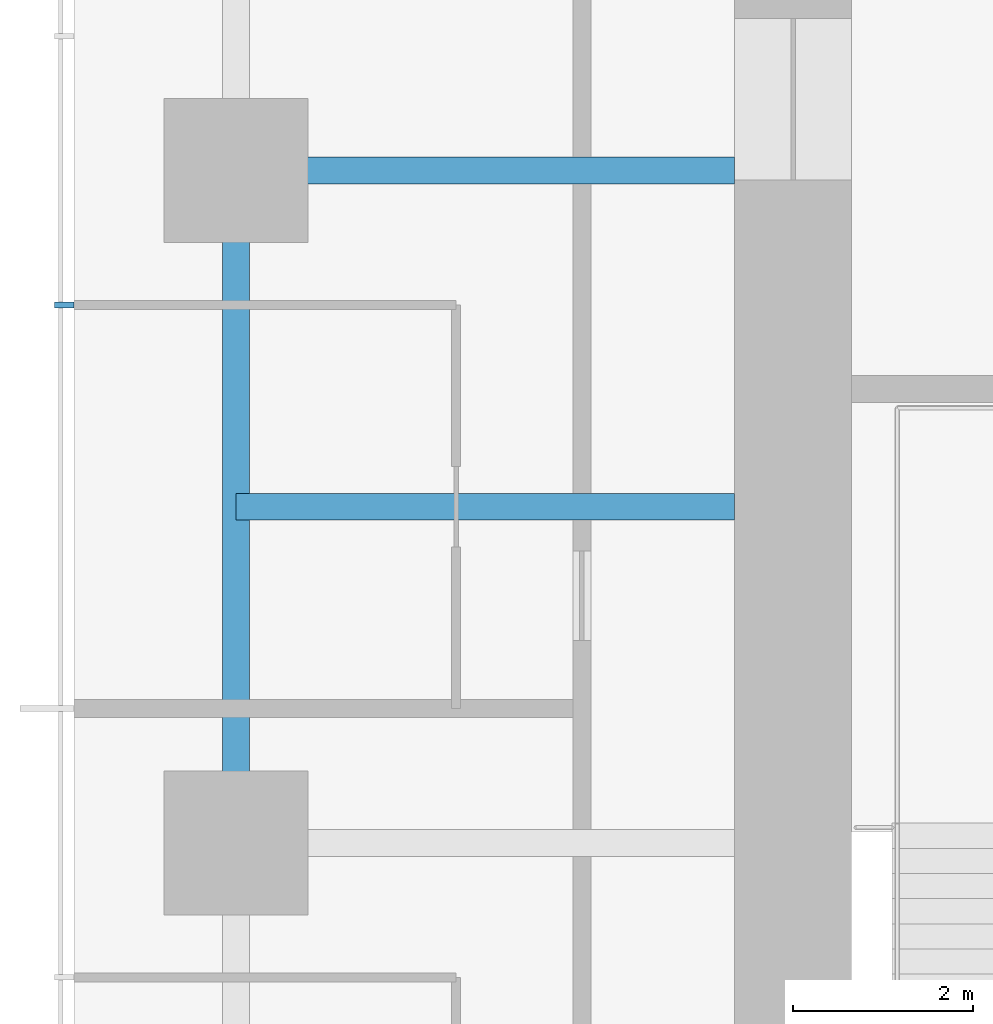
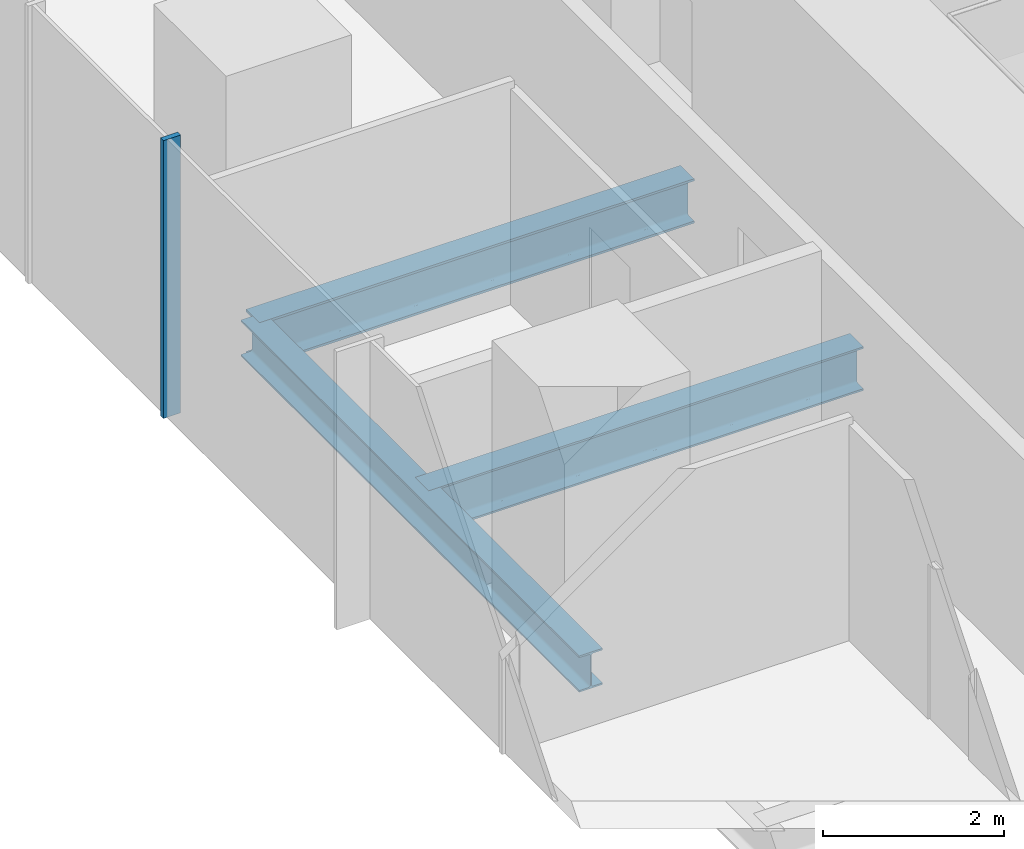
# One storey, part 3 of 12: 3 beams, 1 member, 1 element without a shape of its own.
"""IFC4 building model written with IfcOpenShell, lengths in metres."""

from ifc_helpers import new_model, si_unit, direction, frame, origin, origin_2d, place, context, subcontext, project, spatial, rectangle, i_section, extrude, material, material_profile, profile_set, type_object, element, aggregate, save


model = new_model("IFC4")

# Units and contexts
model_context = context("Model", 3, precision=1e-05, world=origin(), true_north=direction((0.0, 1.0)))
body_context = subcontext(model_context, "Body", "Model", "MODEL_VIEW")
ifc_project = project(units=[si_unit("LENGTHUNIT", "METRE"), si_unit("AREAUNIT", "SQUARE_METRE"), si_unit("VOLUMEUNIT", "CUBIC_METRE"), si_unit("PLANEANGLEUNIT", "RADIAN"), si_unit("MASSUNIT", "GRAM", prefix="KILO")], contexts=[model_context])

# Site, building, storey
site_placement = place(None, origin())
site = spatial("IfcSite", under=ifc_project, at=site_placement, CompositionType="ELEMENT")
building_placement = place(site_placement, origin())
building = spatial("IfcBuilding", under=site, at=building_placement, Name="Khuree Lantern Residences", CompositionType="ELEMENT")
storey_placement = place(building_placement, frame((0.0, 0.0, 312.0)))
storey = spatial("IfcBuildingStorey", under=building, at=storey_placement, Name="L78", CompositionType="ELEMENT", Elevation=312.0)

# Beams
ifc_material_1 = material(Name="Steel S355", Category="steel")
ifc_material_profile_1 = material_profile(ifc_material_1, i_section(OverallWidth=0.300048828125, OverallDepth=0.590087890625, WebThickness=0.012939453125, FlangeThickness=0.02490234375, FilletRadius=0.027099609375, at=origin_2d()), Name="HE 600 A")
ifc_profile_set_1 = profile_set([ifc_material_profile_1], Name="Steel S355")
beam_type_1 = type_object("IfcBeamType", Name="B-42 SECONDARY BEAM HE 600 A", PredefinedType="BEAM", material=ifc_profile_set_1)
beam_1_placement = place(storey_placement, frame((-21.699951171875, 3.739990234375, -0.544921875), z_axis=(1.0, 0.0, 0.0), x_axis=(0.0, 1.0, 0.0)))
element("IfcBeam", 1, at=beam_1_placement, inside=storey, type_object=beam_type_1, Name="Secondary beam W4", PredefinedType="BEAM", context=body_context, shape_type="SweptSolid", body=[
    extrude(i_section(OverallWidth=0.300048828125, OverallDepth=0.590087890625, WebThickness=0.012939453125, FlangeThickness=0.02490234375, FilletRadius=0.027099609375, at=origin_2d()), origin(), (0.0, 0.0, 1.0), 5.550048828125),
])
ifc_material_profile_2 = material_profile(ifc_material_1, i_section(OverallWidth=0.300048828125, OverallDepth=0.489990234375, WebThickness=0.011962890625, FlangeThickness=0.02294921875, FilletRadius=0.027099609375, at=origin_2d()), Name="HE 500 A")
ifc_profile_set_2 = profile_set([ifc_material_profile_2], Name="Steel S355")
beam_type_2 = type_object("IfcBeamType", Name="E-42 SPANDREL BEAM HE 500 A", PredefinedType="SPANDREL", material=ifc_profile_set_2)
beam_2_placement = place(storey_placement, frame((-21.699951171875, 0.0, -0.4951171875), z_axis=(0.0, 1.0, 0.0), x_axis=(-1.0, 0.0, 0.0)))
element("IfcBeam", 2, at=beam_2_placement, inside=storey, type_object=beam_type_2, Name="Spandrel beam W4", PredefinedType="SPANDREL", context=body_context, shape_type="SweptSolid", body=[
    extrude(i_section(OverallWidth=0.300048828125, OverallDepth=0.489990234375, WebThickness=0.011962890625, FlangeThickness=0.02294921875, FilletRadius=0.027099609375, at=origin_2d()), origin(), (0.0, 0.0, 1.0), 7.47998046875),
])
ifc_material_profile_3 = material_profile(ifc_material_1, i_section(OverallWidth=0.300048828125, OverallDepth=0.60009765625, WebThickness=0.015380859375, FlangeThickness=0.030029296875, FilletRadius=0.027099609375, at=origin_2d()), Name="HE 600 B")
ifc_profile_set_3 = profile_set([ifc_material_profile_3], Name="Steel S355")
beam_type_3 = type_object("IfcBeamType", Name="G-42 GIRDER HE 600 B", PredefinedType="BEAM", material=ifc_profile_set_3)
beam_3_placement = place(storey_placement, frame((-21.699951171875, 7.47998046875, -0.550048828125), z_axis=(1.0, 0.0, 0.0), x_axis=(0.0, 1.0, 0.0)))
element("IfcBeam", 3, at=beam_3_placement, inside=storey, type_object=beam_type_3, Name="Girder W4", PredefinedType="BEAM", context=body_context, shape_type="SweptSolid", body=[
    extrude(i_section(OverallWidth=0.300048828125, OverallDepth=0.60009765625, WebThickness=0.015380859375, FlangeThickness=0.030029296875, FilletRadius=0.027099609375, at=origin_2d()), origin(), (0.0, 0.0, 1.0), 5.550048828125),
])

# Curtain wall, member
ifc_material_2 = material(Name="Bronze anodised aluminium", Category="aluminium")
curtain_wall_type = type_object("IfcCurtainWallType", Name="CW-T1 TOWER FACE CURTAIN WALL", PredefinedType="USERDEFINED", material=ifc_material_2)
curtain_wall_placement = place(storey_placement, origin())
curtain_wall = element("IfcCurtainWall", 4, at=curtain_wall_placement, inside=storey, type_object=curtain_wall_type, Name="L78 WEST FACE CURTAIN WALL", ObjectType="Stick-built curtain wall", PredefinedType="USERDEFINED")
ifc_material_profile_4 = material_profile(ifc_material_2, rectangle(XDim=0.06494140625, YDim=0.219970703125, at=origin_2d()), Name="M1 65X220")
ifc_profile_set_4 = profile_set([ifc_material_profile_4], Name="Bronze anodised aluminium")
member_type = type_object("IfcMemberType", Name="M1 BRONZE MULLION TOWER 65X220", PredefinedType="MULLION", material=ifc_profile_set_4)
member_placement = place(storey_placement, frame((-23.610107421875, 5.98388671875, 0.0), z_axis=(0.0, 0.0, 1.0), x_axis=(0.0, -1.0, 0.0)))
member = element("IfcMember", 5, at=member_placement, type_object=member_type, Name="L78 WEST FACE MULLION 36", PredefinedType="MULLION", context=body_context, shape_type="SweptSolid", body=[
    extrude(rectangle(XDim=0.06494140625, YDim=0.219970703125, at=origin_2d()), origin(), (0.0, 0.0, 1.0), 3.75),
])
aggregate(curtain_wall, [member])

save(model, "model.ifc")
